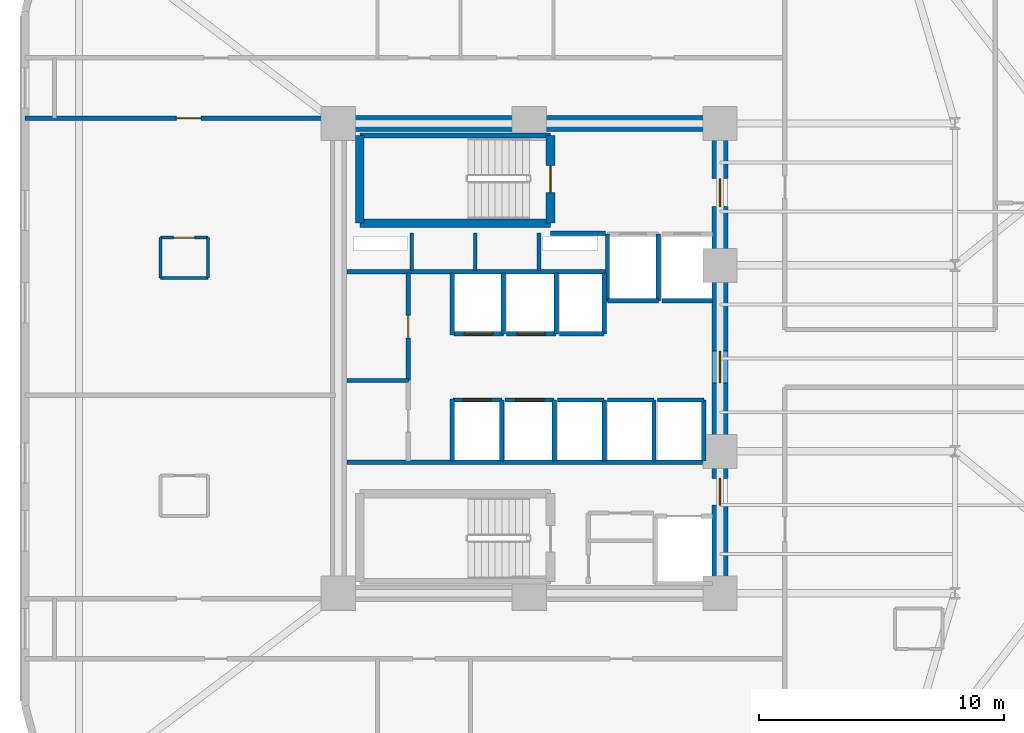
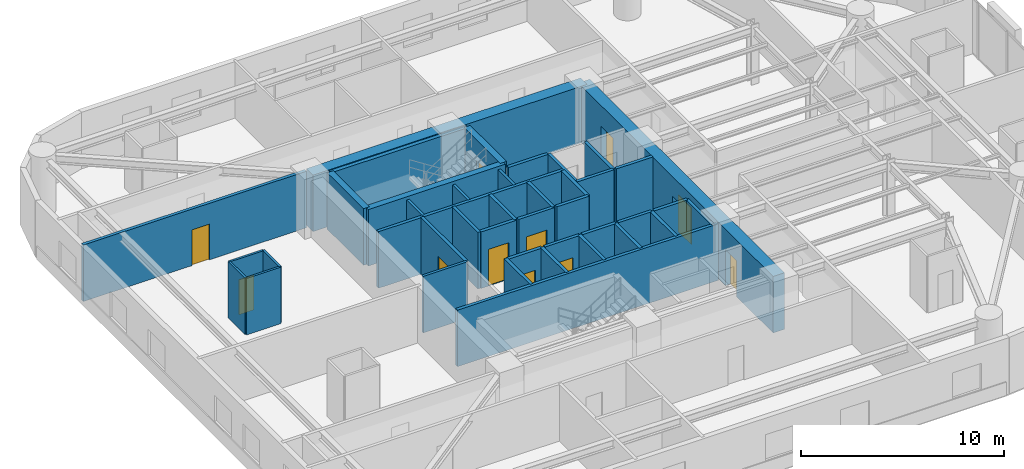
# One storey, part 11 of 16: 41 walls, 11 doors, 11 openings.
"""IFC4 building model written with IfcOpenShell, lengths in metres."""

from ifc_helpers import new_model, si_unit, direction, frame, frame_2d, origin, place, context, subcontext, project, spatial, rectangle, extrude, material, layer, layer_set, type_object, element, fill, save


model = new_model("IFC4")

# Units and contexts
model_context = context("Model", 3, precision=1e-05, world=origin(), true_north=direction((0.0, 1.0)))
body_context = subcontext(model_context, "Body", "Model", "MODEL_VIEW")
ifc_project = project(units=[si_unit("LENGTHUNIT", "METRE"), si_unit("AREAUNIT", "SQUARE_METRE"), si_unit("VOLUMEUNIT", "CUBIC_METRE"), si_unit("PLANEANGLEUNIT", "RADIAN"), si_unit("MASSUNIT", "GRAM", prefix="KILO")], contexts=[model_context])

# Site, building, storey
site_placement = place(None, origin())
site = spatial("IfcSite", under=ifc_project, at=site_placement, CompositionType="ELEMENT")
building_placement = place(site_placement, origin())
building = spatial("IfcBuilding", under=site, at=building_placement, Name="An Khanh Terracotta Commons", CompositionType="ELEMENT")
storey_placement = place(building_placement, frame((0.0, 0.0, 100.699951171875)))
storey = spatial("IfcBuildingStorey", under=building, at=storey_placement, Name="L26", CompositionType="ELEMENT", Elevation=100.699951171875)

# Wall
ifc_material_1 = material(Name="Concrete C60/75", Category="concrete")
ifc_layer_1 = layer(ifc_material_1, 0.64990234375, Name="Concrete C60/75")
ifc_layer_set_1 = layer_set([ifc_layer_1], Name="Concrete C60/75")
wall_type_1 = type_object("IfcWallType", Name="WALL-CORE-650", PredefinedType="SHEAR", material=ifc_layer_set_1)
wall_1_placement = place(storey_placement, frame((21.60009765625, 33.60009765625, 0.0), z_axis=(0.0, 0.0, 1.0), x_axis=(1.0, 0.0, 0.0)))
element("IfcWall", 1, at=wall_1_placement, inside=storey, type_object=wall_type_1, Name="L26 Core Wall CWALL-L26-N", PredefinedType="SHEAR", context=body_context, shape_type="SweptSolid", body=[
    extrude(rectangle(XDim=15.599853515625, YDim=0.64990234375, at=frame_2d((7.7998046875, 0.0))), origin(), (0.0, 0.0, 1.0), 3.400146484375),
])

# Wall, openings, doors
wall_2_placement = place(storey_placement, frame((37.199951171875, 14.39990234375, 0.0), z_axis=(0.0, 0.0, 1.0), x_axis=(0.0, 1.0, 0.0)))
wall_2 = element("IfcWall", 2, at=wall_2_placement, inside=storey, type_object=wall_type_1, Name="L26 Core Wall CWALL-L26-E", PredefinedType="SHEAR", context=body_context, shape_type="SweptSolid", body=[
    extrude(rectangle(XDim=19.2001953125, YDim=0.64990234375, at=frame_2d((9.60009765625, 0.0))), origin(), (0.0, 0.0, 1.0), 3.400146484375),
])
opening_1_placement = place(wall_2_placement, frame((15.800048828125, 0.0, 0.0)))
opening_1 = element("IfcOpeningElement", 3, at=opening_1_placement, cuts=wall_2, Name="Opening D-FFL", PredefinedType="OPENING", context=body_context, shape_type="SweptSolid", body=[
    extrude(rectangle(XDim=1.14990234375, YDim=2.14990234375, at=frame_2d((0.574951171875, 1.074951171875))), frame((0.0, 0.3349609375, 0.0), z_axis=(0.0, -1.0, 0.0), x_axis=(1.0, 0.0, 0.0)), (0.0, 0.0, 1.0), 0.669921875),
])
opening_2_placement = place(wall_2_placement, frame((3.60009765625, 0.0, 0.0)))
opening_2 = element("IfcOpeningElement", 4, at=opening_2_placement, cuts=wall_2, Name="Opening D-ST", PredefinedType="OPENING", context=body_context, shape_type="SweptSolid", body=[
    extrude(rectangle(XDim=1.10009765625, YDim=2.14990234375, at=frame_2d((0.550048828125, 1.074951171875))), frame((0.0, 0.3349609375, 0.0), z_axis=(0.0, -1.0, 0.0), x_axis=(1.0, 0.0, 0.0)), (0.0, 0.0, 1.0), 0.669921875),
])
opening_3_placement = place(wall_2_placement, frame((8.60009765625, 0.0, 0.0)))
opening_3 = element("IfcOpeningElement", 5, at=opening_3_placement, cuts=wall_2, Name="Opening D-COR", PredefinedType="OPENING", context=body_context, shape_type="SweptSolid", body=[
    extrude(rectangle(XDim=1.300048828125, YDim=2.199951171875, at=frame_2d((0.64990234375, 1.10009765625))), frame((0.0, 0.3349609375, 0.0), z_axis=(0.0, -1.0, 0.0), x_axis=(1.0, 0.0, 0.0)), (0.0, 0.0, 1.0), 0.669921875),
])
ifc_material_2 = material(Name="Fire-Rated Glazed Steel Double Door", Category="steel")
door_type_1 = type_object("IfcDoorType", Name="DOOR-CORR-1300", OperationType="NOTDEFINED", PredefinedType="DOOR", material=ifc_material_2)
door_1_placement = place(opening_3_placement, origin())
door_1 = element("IfcDoor", 6, at=door_1_placement, inside=storey, type_object=door_type_1, Name="L26 Passenger Lift Lobby Double Door", OperationType="DOUBLE_DOOR_SINGLE_SWING", OverallHeight=2.199951171875, OverallWidth=1.300048828125, PredefinedType="DOOR", context=body_context, shape_type="SweptSolid", body=[
    extrude(rectangle(XDim=1.300048828125, YDim=2.199951171875, at=frame_2d((0.64990234375, 1.10009765625))), frame((0.0, 0.02490234375, 0.0), z_axis=(0.0, -1.0, 0.0), x_axis=(1.0, 0.0, 0.0)), (0.0, 0.0, 1.0), 0.050048828125),
])
fill(opening_3, door_1)
ifc_material_3 = material(Name="Fire-Rated Steel Leaf and Vision Panel", Category="steel")
door_type_2 = type_object("IfcDoorType", Name="DOOR-FFL-1150", OperationType="NOTDEFINED", PredefinedType="DOOR", material=ifc_material_3)
door_2_placement = place(opening_1_placement, origin())
door_2 = element("IfcDoor", 7, at=door_2_placement, inside=storey, type_object=door_type_2, Name="L26 Firefighting Lift Lobby Fire Door", OperationType="SINGLE_SWING_RIGHT", OverallHeight=2.14990234375, OverallWidth=1.14990234375, PredefinedType="DOOR", context=body_context, shape_type="SweptSolid", body=[
    extrude(rectangle(XDim=1.14990234375, YDim=2.14990234375, at=frame_2d((0.574951171875, 1.074951171875))), frame((0.0, 0.02490234375, 0.0), z_axis=(0.0, -1.0, 0.0), x_axis=(1.0, 0.0, 0.0)), (0.0, 0.0, 1.0), 0.050048828125),
])
fill(opening_1, door_2)
ifc_material_4 = material(Name="Fire-Rated Steel Leaf and Frame", Category="steel")
door_type_3 = type_object("IfcDoorType", Name="DOOR-STAIR-1100", OperationType="NOTDEFINED", PredefinedType="DOOR", material=ifc_material_4)
door_3_placement = place(opening_2_placement, origin())
door_3 = element("IfcDoor", 8, at=door_3_placement, inside=storey, type_object=door_type_3, Name="L26 South Stair Lobby Fire Door", OperationType="SINGLE_SWING_LEFT", OverallHeight=2.14990234375, OverallWidth=1.10009765625, PredefinedType="DOOR", context=body_context, shape_type="SweptSolid", body=[
    extrude(rectangle(XDim=1.10009765625, YDim=2.14990234375, at=frame_2d((0.550048828125, 1.074951171875))), frame((0.0, 0.02490234375, 0.0), z_axis=(0.0, -1.0, 0.0), x_axis=(1.0, 0.0, 0.0)), (0.0, 0.0, 1.0), 0.050048828125),
])
fill(opening_2, door_3)

# Walls
ifc_material_5 = material(Name="Fire-Rated Gypsum Board on Steel Stud", Category="steel")
ifc_layer_2 = layer(ifc_material_5, 0.179931640625, Name="Fire-Rated Gypsum Board on Steel Stud")
ifc_layer_set_2 = layer_set([ifc_layer_2], Name="Fire-Rated Gypsum Board on Steel Stud")
wall_type_2 = type_object("IfcWallType", Name="WALL-CORR-180", PredefinedType="PARTITIONING", material=ifc_layer_set_2)
wall_3_placement = place(storey_placement, frame((30.27001953125, 29.1201171875, 0.0), z_axis=(0.0, 0.0, 1.0), x_axis=(1.0, 0.0, 0.0)))
element("IfcWall", 9, at=wall_3_placement, inside=storey, type_object=wall_type_2, Name="L26 Core Wall FFLW-L26-S", PredefinedType="PARTITIONING", context=body_context, shape_type="SweptSolid", body=[
    extrude(rectangle(XDim=2.239990234375, YDim=0.179931640625, at=frame_2d((1.1201171875, 0.0))), origin(), (0.0, 0.0, 1.0), 3.400146484375),
])
wall_4_placement = place(storey_placement, frame((21.949951171875, 27.5400390625, 0.0), z_axis=(0.0, 0.0, 1.0), x_axis=(1.0, 0.0, 0.0)))
element("IfcWall", 10, at=wall_4_placement, inside=storey, type_object=wall_type_2, Name="L26 Core Wall RSRW-L26-S", PredefinedType="PARTITIONING", context=body_context, shape_type="SweptSolid", body=[
    extrude(rectangle(XDim=10.56005859375, YDim=0.179931640625, at=frame_2d((5.280029296875, 0.0))), origin(), (0.0, 0.0, 1.0), 3.400146484375),
])
wall_5_placement = place(storey_placement, frame((21.949951171875, 19.760009765625, 0.0), z_axis=(0.0, 0.0, 1.0), x_axis=(1.0, 0.0, 0.0)))
element("IfcWall", 11, at=wall_5_placement, inside=storey, type_object=wall_type_2, Name="L26 Core Wall SVW-L26-N", PredefinedType="PARTITIONING", context=body_context, shape_type="SweptSolid", body=[
    extrude(rectangle(XDim=14.8701171875, YDim=0.179931640625, at=frame_2d((7.43505859375, 0.0))), origin(), (0.0, 0.0, 1.0), 3.400146484375),
])
wall_6_placement = place(storey_placement, frame((34.679931640625, 26.35009765625, 0.0), z_axis=(0.0, 0.0, 1.0), x_axis=(-1.0, 0.0, 0.0)))
element("IfcWall", 12, at=wall_6_placement, inside=storey, type_object=wall_type_2, Name="L26 Core Wall LSH-L26-FFL-01-S", PredefinedType="PARTITIONING", context=body_context, shape_type="SweptSolid", body=[
    extrude(rectangle(XDim=2.079833984375, YDim=0.179931640625, at=frame_2d((1.0400390625, 0.0))), origin(), (0.0, 0.0, 1.0), 3.400146484375),
])
for number, where, z_axis, x_axis, name in (
    (13, (34.679931640625, 26.35009765625, 0.0), (0.0, 0.0, 1.0), (0.0, 1.0, 0.0), "L26 Core Wall LSH-L26-FFL-01-E"),
    (14, (32.60009765625, 29.080078125, 0.0), (0.0, 0.0, 1.0), (0.0, -1.0, 0.0), "L26 Core Wall LSH-L26-FFL-01-W"),
):
    element("IfcWall", number, at=place(storey_placement, frame(where, z_axis=z_axis, x_axis=x_axis)), inside=storey, type_object=wall_type_2, Name=name, PredefinedType="PARTITIONING", context=body_context, shape_type="SweptSolid", body=[
        extrude(rectangle(XDim=2.72998046875, YDim=0.179931640625, at=frame_2d((1.364990234375, 0.0))), origin(), (0.0, 0.0, 1.0), 3.400146484375),
    ])
wall_7_placement = place(storey_placement, frame((36.89990234375, 26.35009765625, 0.0), z_axis=(0.0, 0.0, 1.0), x_axis=(-1.0, 0.0, 0.0)))
element("IfcWall", 15, at=wall_7_placement, inside=storey, type_object=wall_type_2, Name="L26 Core Wall LSH-L26-FFL-02-S", PredefinedType="PARTITIONING", context=body_context, shape_type="SweptSolid", body=[
    extrude(rectangle(XDim=2.079833984375, YDim=0.179931640625, at=frame_2d((1.0400390625, 0.0))), origin(), (0.0, 0.0, 1.0), 3.400146484375),
])

# Wall, opening, door
wall_8_placement = place(storey_placement, frame((28.340087890625, 25.0, 0.0), z_axis=(0.0, 0.0, 1.0), x_axis=(-1.0, 0.0, 0.0)))
wall_8 = element("IfcWall", 16, at=wall_8_placement, inside=storey, type_object=wall_type_2, Name="L26 Core Wall LSH-L26-PL-M1-S", PredefinedType="PARTITIONING", context=body_context, shape_type="SweptSolid", body=[
    extrude(rectangle(XDim=2.02001953125, YDim=0.179931640625, at=frame_2d((1.010009765625, 0.0))), origin(), (0.0, 0.0, 1.0), 3.400146484375),
])
opening_4_placement = place(wall_8_placement, frame((0.43505859375, 0.0, 0.0)))
opening_4 = element("IfcOpeningElement", 17, at=opening_4_placement, cuts=wall_8, Name="Opening LD-PL-M1-L26", PredefinedType="OPENING", context=body_context, shape_type="SweptSolid", body=[
    extrude(rectangle(XDim=1.14990234375, YDim=2.199951171875, at=frame_2d((0.574951171875, 1.10009765625))), frame((0.0, 0.099853515625, 0.0), z_axis=(0.0, -1.0, 0.0), x_axis=(1.0, 0.0, 0.0)), (0.0, 0.0, 1.0), 0.199951171875),
])
ifc_material_6 = material(Name="Brushed Stainless Steel Passenger Landing Door", Category="steel")
door_type_4 = type_object("IfcDoorType", Name="DOOR-LD-PAX-1150", OperationType="NOTDEFINED", PredefinedType="DOOR", material=ifc_material_6)
door_4_placement = place(opening_4_placement, origin())
door_4 = element("IfcDoor", 18, at=door_4_placement, inside=storey, type_object=door_type_4, Name="L26 Lift PL-M1 Sliding Landing Door", OperationType="DOUBLE_DOOR_SLIDING", OverallHeight=2.199951171875, OverallWidth=1.14990234375, PredefinedType="DOOR", context=body_context, shape_type="SweptSolid", body=[
    extrude(rectangle(XDim=1.14990234375, YDim=2.199951171875, at=frame_2d((0.574951171875, 1.10009765625))), frame((0.0, 0.02490234375, 0.0), z_axis=(0.0, -1.0, 0.0), x_axis=(1.0, 0.0, 0.0)), (0.0, 0.0, 1.0), 0.050048828125),
])
fill(opening_4, door_4)

# Wall
wall_9_placement = place(storey_placement, frame((28.340087890625, 25.0, 0.0), z_axis=(0.0, 0.0, 1.0), x_axis=(0.0, 1.0, 0.0)))
element("IfcWall", 19, at=wall_9_placement, inside=storey, type_object=wall_type_2, Name="L26 Core Wall LSH-L26-PL-M1-E", PredefinedType="PARTITIONING", context=body_context, shape_type="SweptSolid", body=[
    extrude(rectangle(XDim=2.5, YDim=0.179931640625, at=frame_2d((1.25, 0.0))), origin(), (0.0, 0.0, 1.0), 3.400146484375),
])

# Wall, opening, door
wall_10_placement = place(storey_placement, frame((30.5, 25.0, 0.0), z_axis=(0.0, 0.0, 1.0), x_axis=(-1.0, 0.0, 0.0)))
wall_10 = element("IfcWall", 20, at=wall_10_placement, inside=storey, type_object=wall_type_2, Name="L26 Core Wall LSH-L26-PL-M2-S", PredefinedType="PARTITIONING", context=body_context, shape_type="SweptSolid", body=[
    extrude(rectangle(XDim=2.02001953125, YDim=0.179931640625, at=frame_2d((1.010009765625, 0.0))), origin(), (0.0, 0.0, 1.0), 3.400146484375),
])
opening_5_placement = place(wall_10_placement, frame((0.43505859375, 0.0, 0.0)))
opening_5 = element("IfcOpeningElement", 21, at=opening_5_placement, cuts=wall_10, Name="Opening LD-PL-M2-L26", PredefinedType="OPENING", context=body_context, shape_type="SweptSolid", body=[
    extrude(rectangle(XDim=1.14990234375, YDim=2.199951171875, at=frame_2d((0.574951171875, 1.10009765625))), frame((0.0, 0.099853515625, 0.0), z_axis=(0.0, -1.0, 0.0), x_axis=(1.0, 0.0, 0.0)), (0.0, 0.0, 1.0), 0.199951171875),
])
door_5_placement = place(opening_5_placement, origin())
door_5 = element("IfcDoor", 22, at=door_5_placement, inside=storey, type_object=door_type_4, Name="L26 Lift PL-M2 Sliding Landing Door", OperationType="DOUBLE_DOOR_SLIDING", OverallHeight=2.199951171875, OverallWidth=1.14990234375, PredefinedType="DOOR", context=body_context, shape_type="SweptSolid", body=[
    extrude(rectangle(XDim=1.14990234375, YDim=2.199951171875, at=frame_2d((0.574951171875, 1.10009765625))), frame((0.0, 0.02490234375, 0.0), z_axis=(0.0, -1.0, 0.0), x_axis=(1.0, 0.0, 0.0)), (0.0, 0.0, 1.0), 0.050048828125),
])
fill(opening_5, door_5)

# Wall
wall_11_placement = place(storey_placement, frame((30.5, 25.0, 0.0), z_axis=(0.0, 0.0, 1.0), x_axis=(0.0, 1.0, 0.0)))
element("IfcWall", 23, at=wall_11_placement, inside=storey, type_object=wall_type_2, Name="L26 Core Wall LSH-L26-PL-M2-E", PredefinedType="PARTITIONING", context=body_context, shape_type="SweptSolid", body=[
    extrude(rectangle(XDim=2.5, YDim=0.179931640625, at=frame_2d((1.25, 0.0))), origin(), (0.0, 0.0, 1.0), 3.400146484375),
])

# Wall, opening, door
wall_12_placement = place(storey_placement, frame((26.280029296875, 22.300048828125, 0.0), z_axis=(0.0, 0.0, 1.0), x_axis=(1.0, 0.0, 0.0)))
wall_12 = element("IfcWall", 24, at=wall_12_placement, inside=storey, type_object=wall_type_2, Name="L26 Core Wall LSH-L26-PL-M3-N", PredefinedType="PARTITIONING", context=body_context, shape_type="SweptSolid", body=[
    extrude(rectangle(XDim=2.0, YDim=0.179931640625, at=frame_2d((1.0, 0.0))), origin(), (0.0, 0.0, 1.0), 3.400146484375),
])
opening_6_placement = place(wall_12_placement, frame((0.425048828125, 0.0, 0.0)))
opening_6 = element("IfcOpeningElement", 25, at=opening_6_placement, cuts=wall_12, Name="Opening LD-PL-M3-L26", PredefinedType="OPENING", context=body_context, shape_type="SweptSolid", body=[
    extrude(rectangle(XDim=1.14990234375, YDim=2.199951171875, at=frame_2d((0.574951171875, 1.10009765625))), frame((0.0, 0.099853515625, 0.0), z_axis=(0.0, -1.0, 0.0), x_axis=(1.0, 0.0, 0.0)), (0.0, 0.0, 1.0), 0.199951171875),
])
door_6_placement = place(opening_6_placement, origin())
door_6 = element("IfcDoor", 26, at=door_6_placement, inside=storey, type_object=door_type_4, Name="L26 Lift PL-M3 Sliding Landing Door", OperationType="DOUBLE_DOOR_SLIDING", OverallHeight=2.199951171875, OverallWidth=1.14990234375, PredefinedType="DOOR", context=body_context, shape_type="SweptSolid", body=[
    extrude(rectangle(XDim=1.14990234375, YDim=2.199951171875, at=frame_2d((0.574951171875, 1.10009765625))), frame((0.0, 0.02490234375, 0.0), z_axis=(0.0, -1.0, 0.0), x_axis=(1.0, 0.0, 0.0)), (0.0, 0.0, 1.0), 0.050048828125),
])
fill(opening_6, door_6)

# Wall
wall_13_placement = place(storey_placement, frame((28.280029296875, 19.800048828125, 0.0), z_axis=(0.0, 0.0, 1.0), x_axis=(0.0, 1.0, 0.0)))
element("IfcWall", 27, at=wall_13_placement, inside=storey, type_object=wall_type_2, Name="L26 Core Wall LSH-L26-PL-M3-E", PredefinedType="PARTITIONING", context=body_context, shape_type="SweptSolid", body=[
    extrude(rectangle(XDim=2.5, YDim=0.179931640625, at=frame_2d((1.25, 0.0))), origin(), (0.0, 0.0, 1.0), 3.400146484375),
])

# Wall, opening, door
wall_14_placement = place(storey_placement, frame((28.419921875, 22.300048828125, 0.0), z_axis=(0.0, 0.0, 1.0), x_axis=(1.0, 0.0, 0.0)))
wall_14 = element("IfcWall", 28, at=wall_14_placement, inside=storey, type_object=wall_type_2, Name="L26 Core Wall LSH-L26-PL-M4-N", PredefinedType="PARTITIONING", context=body_context, shape_type="SweptSolid", body=[
    extrude(rectangle(XDim=2.0, YDim=0.179931640625, at=frame_2d((1.0, 0.0))), origin(), (0.0, 0.0, 1.0), 3.400146484375),
])
opening_7_placement = place(wall_14_placement, frame((0.425048828125, 0.0, 0.0)))
opening_7 = element("IfcOpeningElement", 29, at=opening_7_placement, cuts=wall_14, Name="Opening LD-PL-M4-L26", PredefinedType="OPENING", context=body_context, shape_type="SweptSolid", body=[
    extrude(rectangle(XDim=1.14990234375, YDim=2.199951171875, at=frame_2d((0.574951171875, 1.10009765625))), frame((0.0, 0.099853515625, 0.0), z_axis=(0.0, -1.0, 0.0), x_axis=(1.0, 0.0, 0.0)), (0.0, 0.0, 1.0), 0.199951171875),
])
door_7_placement = place(opening_7_placement, origin())
door_7 = element("IfcDoor", 30, at=door_7_placement, inside=storey, type_object=door_type_4, Name="L26 Lift PL-M4 Sliding Landing Door", OperationType="DOUBLE_DOOR_SLIDING", OverallHeight=2.199951171875, OverallWidth=1.14990234375, PredefinedType="DOOR", context=body_context, shape_type="SweptSolid", body=[
    extrude(rectangle(XDim=1.14990234375, YDim=2.199951171875, at=frame_2d((0.574951171875, 1.10009765625))), frame((0.0, 0.02490234375, 0.0), z_axis=(0.0, -1.0, 0.0), x_axis=(1.0, 0.0, 0.0)), (0.0, 0.0, 1.0), 0.050048828125),
])
fill(opening_7, door_7)

# Walls
wall_15_placement = place(storey_placement, frame((30.419921875, 19.800048828125, 0.0), z_axis=(0.0, 0.0, 1.0), x_axis=(0.0, 1.0, 0.0)))
element("IfcWall", 31, at=wall_15_placement, inside=storey, type_object=wall_type_2, Name="L26 Core Wall LSH-L26-PL-M4-E", PredefinedType="PARTITIONING", context=body_context, shape_type="SweptSolid", body=[
    extrude(rectangle(XDim=2.5, YDim=0.179931640625, at=frame_2d((1.25, 0.0))), origin(), (0.0, 0.0, 1.0), 3.400146484375),
])
wall_16_placement = place(storey_placement, frame((32.4599609375, 25.0, 0.0), z_axis=(0.0, 0.0, 1.0), x_axis=(-1.0, 0.0, 0.0)))
element("IfcWall", 32, at=wall_16_placement, inside=storey, type_object=wall_type_2, Name="L26 Core Wall LSH-L26-PL-H1-S", PredefinedType="PARTITIONING", context=body_context, shape_type="SweptSolid", body=[
    extrude(rectangle(XDim=1.820068359375, YDim=0.179931640625, at=frame_2d((0.91015625, 0.0))), origin(), (0.0, 0.0, 1.0), 3.400146484375),
])
wall_17_placement = place(storey_placement, frame((32.4599609375, 25.0, 0.0), z_axis=(0.0, 0.0, 1.0), x_axis=(0.0, 1.0, 0.0)))
element("IfcWall", 33, at=wall_17_placement, inside=storey, type_object=wall_type_2, Name="L26 Core Wall LSH-L26-PL-H1-E", PredefinedType="PARTITIONING", context=body_context, shape_type="SweptSolid", body=[
    extrude(rectangle(XDim=2.5, YDim=0.179931640625, at=frame_2d((1.25, 0.0))), origin(), (0.0, 0.0, 1.0), 3.400146484375),
])
wall_18_placement = place(storey_placement, frame((30.56005859375, 22.300048828125, 0.0), z_axis=(0.0, 0.0, 1.0), x_axis=(1.0, 0.0, 0.0)))
element("IfcWall", 34, at=wall_18_placement, inside=storey, type_object=wall_type_2, Name="L26 Core Wall LSH-L26-PL-H2-N", PredefinedType="PARTITIONING", context=body_context, shape_type="SweptSolid", body=[
    extrude(rectangle(XDim=1.89990234375, YDim=0.179931640625, at=frame_2d((0.949951171875, 0.0))), origin(), (0.0, 0.0, 1.0), 3.400146484375),
])
wall_19_placement = place(storey_placement, frame((32.4599609375, 19.800048828125, 0.0), z_axis=(0.0, 0.0, 1.0), x_axis=(0.0, 1.0, 0.0)))
element("IfcWall", 35, at=wall_19_placement, inside=storey, type_object=wall_type_2, Name="L26 Core Wall LSH-L26-PL-H2-E", PredefinedType="PARTITIONING", context=body_context, shape_type="SweptSolid", body=[
    extrude(rectangle(XDim=2.5, YDim=0.179931640625, at=frame_2d((1.25, 0.0))), origin(), (0.0, 0.0, 1.0), 3.400146484375),
])
wall_20_placement = place(storey_placement, frame((32.60009765625, 22.300048828125, 0.0), z_axis=(0.0, 0.0, 1.0), x_axis=(1.0, 0.0, 0.0)))
element("IfcWall", 36, at=wall_20_placement, inside=storey, type_object=wall_type_2, Name="L26 Core Wall LSH-L26-PL-H3-N", PredefinedType="PARTITIONING", context=body_context, shape_type="SweptSolid", body=[
    extrude(rectangle(XDim=1.89990234375, YDim=0.179931640625, at=frame_2d((0.949951171875, 0.0))), origin(), (0.0, 0.0, 1.0), 3.400146484375),
])
wall_21_placement = place(storey_placement, frame((34.5, 19.800048828125, 0.0), z_axis=(0.0, 0.0, 1.0), x_axis=(0.0, 1.0, 0.0)))
element("IfcWall", 37, at=wall_21_placement, inside=storey, type_object=wall_type_2, Name="L26 Core Wall LSH-L26-PL-H3-E", PredefinedType="PARTITIONING", context=body_context, shape_type="SweptSolid", body=[
    extrude(rectangle(XDim=2.5, YDim=0.179931640625, at=frame_2d((1.25, 0.0))), origin(), (0.0, 0.0, 1.0), 3.400146484375),
])
wall_22_placement = place(storey_placement, frame((34.639892578125, 22.300048828125, 0.0), z_axis=(0.0, 0.0, 1.0), x_axis=(1.0, 0.0, 0.0)))
element("IfcWall", 38, at=wall_22_placement, inside=storey, type_object=wall_type_2, Name="L26 Core Wall LSH-L26-PL-H4-N", PredefinedType="PARTITIONING", context=body_context, shape_type="SweptSolid", body=[
    extrude(rectangle(XDim=1.900146484375, YDim=0.179931640625, at=frame_2d((0.9501953125, 0.0))), origin(), (0.0, 0.0, 1.0), 3.400146484375),
])
wall_23_placement = place(storey_placement, frame((36.5400390625, 19.800048828125, 0.0), z_axis=(0.0, 0.0, 1.0), x_axis=(0.0, 1.0, 0.0)))
element("IfcWall", 39, at=wall_23_placement, inside=storey, type_object=wall_type_2, Name="L26 Core Wall LSH-L26-PL-H4-E", PredefinedType="PARTITIONING", context=body_context, shape_type="SweptSolid", body=[
    extrude(rectangle(XDim=2.5, YDim=0.179931640625, at=frame_2d((1.25, 0.0))), origin(), (0.0, 0.0, 1.0), 3.400146484375),
])

# Wall, opening, door
wall_24_placement = place(storey_placement, frame((24.4599609375, 23.10009765625, 0.0), z_axis=(0.0, 0.0, 1.0), x_axis=(0.0, 1.0, 0.0)))
wall_24 = element("IfcWall", 40, at=wall_24_placement, inside=storey, type_object=wall_type_2, Name="L26 Core Wall RECW-L26-E1", PredefinedType="PARTITIONING", context=body_context, shape_type="SweptSolid", body=[
    extrude(rectangle(XDim=4.39990234375, YDim=0.179931640625, at=frame_2d((2.199951171875, 0.0))), origin(), (0.0, 0.0, 1.0), 3.400146484375),
])
opening_8_placement = place(wall_24_placement, frame((1.739990234375, 0.0, 0.0)))
opening_8 = element("IfcOpeningElement", 41, at=opening_8_placement, cuts=wall_24, Name="Opening D-RM", PredefinedType="OPENING", context=body_context, shape_type="SweptSolid", body=[
    extrude(rectangle(XDim=0.919921875, YDim=2.10009765625, at=frame_2d((0.4599609375, 1.050048828125))), frame((0.0, 0.099853515625, 0.0), z_axis=(0.0, -1.0, 0.0), x_axis=(1.0, 0.0, 0.0)), (0.0, 0.0, 1.0), 0.199951171875),
])
ifc_material_7 = material(Name="Engineered Hardwood Timber Leaf", Category="wood")
door_type_5 = type_object("IfcDoorType", Name="DOOR-INT-920", OperationType="NOTDEFINED", PredefinedType="DOOR", material=ifc_material_7)
door_8_placement = place(opening_8_placement, origin())
door_8 = element("IfcDoor", 42, at=door_8_placement, inside=storey, type_object=door_type_5, Name="L26 Housekeeping Linen Room Door", OperationType="SINGLE_SWING_RIGHT", OverallHeight=2.10009765625, OverallWidth=0.919921875, PredefinedType="DOOR", context=body_context, shape_type="SweptSolid", body=[
    extrude(rectangle(XDim=0.919921875, YDim=2.10009765625, at=frame_2d((0.4599609375, 1.050048828125))), frame((0.0, 0.02490234375, 0.0), z_axis=(0.0, -1.0, 0.0), x_axis=(1.0, 0.0, 0.0)), (0.0, 0.0, 1.0), 0.050048828125),
])
fill(opening_8, door_8)

# Walls
for number, where, z_axis, x_axis, name in (
    (43, (26.25, 24.949951171875, 0.0), (0.0, 0.0, 1.0), (0.0, 1.0, 0.0), "L26 Core Wall RECW-L26-BE1"),
    (44, (26.25, 19.800048828125, 0.0), (0.0, 0.0, 1.0), (0.0, 1.0, 0.0), "L26 Core Wall RECW-L26-BE2"),
):
    element("IfcWall", number, at=place(storey_placement, frame(where, z_axis=z_axis, x_axis=x_axis)), inside=storey, type_object=wall_type_2, Name=name, PredefinedType="PARTITIONING", context=body_context, shape_type="SweptSolid", body=[
        extrude(rectangle(XDim=2.550048828125, YDim=0.179931640625, at=frame_2d((1.27490234375, 0.0))), origin(), (0.0, 0.0, 1.0), 3.400146484375),
    ])

# Wall, opening, door
wall_25_placement = place(storey_placement, frame((8.800048828125, 33.820068359375, 0.0), z_axis=(0.0, 0.0, 1.0), x_axis=(1.0, 0.0, 0.0)))
wall_25 = element("IfcWall", 45, at=wall_25_placement, inside=storey, type_object=wall_type_2, Name="L26 Interior Partition IW-L26-E009", PredefinedType="PARTITIONING", context=body_context, shape_type="SweptSolid", body=[
    extrude(rectangle(XDim=12.679931640625, YDim=0.179931640625, at=frame_2d((6.33984375, 0.0))), origin(), (0.0, 0.0, 1.0), 3.400146484375),
])
opening_9_placement = place(wall_25_placement, frame((6.179931640625, 0.0, 0.0)))
opening_9 = element("IfcOpeningElement", 46, at=opening_9_placement, cuts=wall_25, Name="Opening D-UN", PredefinedType="OPENING", context=body_context, shape_type="SweptSolid", body=[
    extrude(rectangle(XDim=1.0, YDim=2.14990234375, at=frame_2d((0.5, 1.074951171875))), frame((0.0, 0.099853515625, 0.0), z_axis=(0.0, -1.0, 0.0), x_axis=(1.0, 0.0, 0.0)), (0.0, 0.0, 1.0), 0.199951171875),
])
ifc_material_8 = material(Name="Solid-Core Hardwood Acoustic Fire Door", Category="wood")
door_type_6 = type_object("IfcDoorType", Name="DOOR-UNIT-1000", OperationType="NOTDEFINED", PredefinedType="DOOR", material=ifc_material_8)
door_9_placement = place(opening_9_placement, origin())
door_9 = element("IfcDoor", 47, at=door_9_placement, inside=storey, type_object=door_type_6, Name="L26 WW2 Kitchenette and Studio Apartment Door", OperationType="SINGLE_SWING_LEFT", OverallHeight=2.14990234375, OverallWidth=1.0, PredefinedType="DOOR", context=body_context, shape_type="SweptSolid", body=[
    extrude(rectangle(XDim=1.0, YDim=2.14990234375, at=frame_2d((0.5, 1.074951171875))), frame((0.0, 0.02490234375, 0.0), z_axis=(0.0, -1.0, 0.0), x_axis=(1.0, 0.0, 0.0)), (0.0, 0.0, 1.0), 0.050048828125),
])
fill(opening_9, door_9)

# Walls
ifc_material_9 = material(Name="Acoustic Gypsum Board Partition")
ifc_layer_3 = layer(ifc_material_9, 0.14990234375, Name="Acoustic Gypsum Board Partition")
ifc_layer_set_3 = layer_set([ifc_layer_3], Name="Acoustic Gypsum Board Partition")
wall_type_3 = type_object("IfcWallType", Name="WALL-PART-150", PredefinedType="PARTITIONING", material=ifc_layer_set_3)
for number, where, z_axis, x_axis, name in (
    (48, (24.60009765625, 27.60009765625, 0.0), (0.0, 0.0, 1.0), (0.0, 1.0, 0.0), "L26 Core Wall RSRW-L26-D1"),
    (49, (27.199951171875, 27.60009765625, 0.0), (0.0, 0.0, 1.0), (0.0, 1.0, 0.0), "L26 Core Wall RSRW-L26-D2"),
    (50, (29.800048828125, 27.60009765625, 0.0), (0.0, 0.0, 1.0), (0.0, 1.0, 0.0), "L26 Core Wall RSRW-L26-D3"),
):
    element("IfcWall", number, at=place(storey_placement, frame(where, z_axis=z_axis, x_axis=x_axis)), inside=storey, type_object=wall_type_3, Name=name, PredefinedType="PARTITIONING", context=body_context, shape_type="SweptSolid", body=[
        extrude(rectangle(XDim=1.52001953125, YDim=0.14990234375, at=frame_2d((0.760009765625, 0.0))), origin(), (0.0, 0.0, 1.0), 3.400146484375),
    ])
wall_26_placement = place(storey_placement, frame((21.949951171875, 23.10009765625, 0.0), z_axis=(0.0, 0.0, 1.0), x_axis=(1.0, 0.0, 0.0)))
element("IfcWall", 51, at=wall_26_placement, inside=storey, type_object=wall_type_3, Name="L26 Core Wall RECW-L26-M", PredefinedType="PARTITIONING", context=body_context, shape_type="SweptSolid", body=[
    extrude(rectangle(XDim=2.510009765625, YDim=0.14990234375, at=frame_2d((1.2548828125, 0.0))), origin(), (0.0, 0.0, 1.0), 3.400146484375),
])
ifc_material_10 = material(Name="Acoustic Double-Stud Gypsum and Mineral Wool")
ifc_layer_4 = layer(ifc_material_10, 0.219970703125, Name="Acoustic Double-Stud Gypsum and Mineral Wool")
ifc_layer_set_4 = layer_set([ifc_layer_4], Name="Acoustic Double-Stud Gypsum and Mineral Wool")
wall_type_4 = type_object("IfcWallType", Name="WALL-PARTY-220", PredefinedType="PARTITIONING", material=ifc_layer_set_4)
wall_27_placement = place(storey_placement, frame((22.47998046875, 33.110107421875, 0.0), z_axis=(0.0, 0.0, 1.0), x_axis=(1.0, 0.0, 0.0)))
element("IfcWall", 52, at=wall_27_placement, inside=storey, type_object=wall_type_4, Name="L26 Core Wall STW-L26-N-N", PredefinedType="PARTITIONING", context=body_context, shape_type="SweptSolid", body=[
    extrude(rectangle(XDim=7.7900390625, YDim=0.219970703125, at=frame_2d((3.89501953125, 0.0))), origin(), (0.0, 0.0, 1.0), 3.400146484375),
])
ifc_material_11 = material(Name="Concrete C50/60", Category="concrete")
ifc_layer_5 = layer(ifc_material_11, 0.35009765625, Name="Concrete C50/60")
ifc_layer_set_5 = layer_set([ifc_layer_5], Name="Concrete C50/60")
wall_type_5 = type_object("IfcWallType", Name="WALL-SHAFT-350", PredefinedType="SOLIDWALL", material=ifc_layer_set_5)
wall_28_placement = place(storey_placement, frame((22.47998046875, 29.530029296875, 0.0), z_axis=(0.0, 0.0, 1.0), x_axis=(1.0, 0.0, 0.0)))
element("IfcWall", 53, at=wall_28_placement, inside=storey, type_object=wall_type_5, Name="L26 Core Wall STW-L26-N-S", PredefinedType="SOLIDWALL", context=body_context, shape_type="SweptSolid", body=[
    extrude(rectangle(XDim=7.7900390625, YDim=0.35009765625, at=frame_2d((3.89501953125, 0.0))), origin(), (0.0, 0.0, 1.0), 3.400146484375),
])
wall_29_placement = place(storey_placement, frame((22.47998046875, 29.530029296875, 0.0), z_axis=(0.0, 0.0, 1.0), x_axis=(0.0, 1.0, 0.0)))
element("IfcWall", 54, at=wall_29_placement, inside=storey, type_object=wall_type_5, Name="L26 Core Wall STW-L26-N-W", PredefinedType="SOLIDWALL", context=body_context, shape_type="SweptSolid", body=[
    extrude(rectangle(XDim=3.580078125, YDim=0.35009765625, at=frame_2d((1.7900390625, 0.0))), origin(), (0.0, 0.0, 1.0), 3.400146484375),
])

# Wall, opening, door
wall_30_placement = place(storey_placement, frame((30.27001953125, 29.530029296875, 0.0), z_axis=(0.0, 0.0, 1.0), x_axis=(0.0, 1.0, 0.0)))
wall_30 = element("IfcWall", 55, at=wall_30_placement, inside=storey, type_object=wall_type_5, Name="L26 Core Wall STW-L26-N-E", PredefinedType="SOLIDWALL", context=body_context, shape_type="SweptSolid", body=[
    extrude(rectangle(XDim=3.580078125, YDim=0.35009765625, at=frame_2d((1.7900390625, 0.0))), origin(), (0.0, 0.0, 1.0), 3.400146484375),
])
opening_10_placement = place(wall_30_placement, frame((1.25, 0.0, 0.0)))
opening_10 = element("IfcOpeningElement", 56, at=opening_10_placement, cuts=wall_30, Name="Opening D-ST", PredefinedType="OPENING", context=body_context, shape_type="SweptSolid", body=[
    extrude(rectangle(XDim=1.10009765625, YDim=2.14990234375, at=frame_2d((0.550048828125, 1.074951171875))), frame((0.0, 0.18505859375, 0.0), z_axis=(0.0, -1.0, 0.0), x_axis=(1.0, 0.0, 0.0)), (0.0, 0.0, 1.0), 0.3701171875),
])
door_10_placement = place(opening_10_placement, origin())
door_10 = element("IfcDoor", 57, at=door_10_placement, inside=storey, type_object=door_type_3, Name="L26 Stair ST-01 Fire Door", OperationType="SINGLE_SWING_RIGHT", OverallHeight=2.14990234375, OverallWidth=1.10009765625, PredefinedType="DOOR", context=body_context, shape_type="SweptSolid", body=[
    extrude(rectangle(XDim=1.10009765625, YDim=2.14990234375, at=frame_2d((0.550048828125, 1.074951171875))), frame((0.0, 0.02490234375, 0.0), z_axis=(0.0, -1.0, 0.0), x_axis=(1.0, 0.0, 0.0)), (0.0, 0.0, 1.0), 0.050048828125),
])
fill(opening_10, door_10)

ifc_material_12 = material(Name="Moisture-Resistant Cement Board Partition")
ifc_layer_6 = layer(ifc_material_12, 0.1201171875, Name="Moisture-Resistant Cement Board Partition")
ifc_layer_set_6 = layer_set([ifc_layer_6], Name="Moisture-Resistant Cement Board Partition")
wall_type_6 = type_object("IfcWallType", Name="WALL-WET-120", PredefinedType="PARTITIONING", material=ifc_layer_set_6)
wall_31_placement = place(storey_placement, frame((14.324951171875, 28.93505859375, 0.0), z_axis=(0.0, 0.0, 1.0), x_axis=(1.0, 0.0, 0.0)))
wall_31 = element("IfcWall", 58, at=wall_31_placement, inside=storey, type_object=wall_type_6, Name="L26 Interior Partition IW-L26-WW2-BN", PredefinedType="PARTITIONING", context=body_context, shape_type="SweptSolid", body=[
    extrude(rectangle(XDim=1.949951171875, YDim=0.1201171875, at=frame_2d((0.97509765625, 0.0))), origin(), (0.0, 0.0, 1.0), 3.400146484375),
])
opening_11_placement = place(wall_31_placement, frame((0.544921875, 0.0, 0.0)))
opening_11 = element("IfcOpeningElement", 59, at=opening_11_placement, cuts=wall_31, Name="Opening D-ENS", PredefinedType="OPENING", context=body_context, shape_type="SweptSolid", body=[
    extrude(rectangle(XDim=0.860107421875, YDim=2.10009765625, at=frame_2d((0.43017578125, 1.050048828125))), frame((0.0, 0.070068359375, 0.0), z_axis=(0.0, -1.0, 0.0), x_axis=(1.0, 0.0, 0.0)), (0.0, 0.0, 1.0), 0.14013671875),
])
ifc_material_13 = material(Name="Moisture-Resistant Hardwood Timber Leaf", Category="wood")
door_type_7 = type_object("IfcDoorType", Name="DOOR-BATH-860", OperationType="NOTDEFINED", PredefinedType="DOOR", material=ifc_material_13)
door_11_placement = place(opening_11_placement, origin())
door_11 = element("IfcDoor", 60, at=door_11_placement, inside=storey, type_object=door_type_7, Name="L26 Studio WW2 En-suite Door", OperationType="SINGLE_SWING_LEFT", OverallHeight=2.10009765625, OverallWidth=0.860107421875, PredefinedType="DOOR", context=body_context, shape_type="SweptSolid", body=[
    extrude(rectangle(XDim=0.860107421875, YDim=2.10009765625, at=frame_2d((0.43017578125, 1.050048828125))), frame((0.0, 0.02490234375, 0.0), z_axis=(0.0, -1.0, 0.0), x_axis=(1.0, 0.0, 0.0)), (0.0, 0.0, 1.0), 0.050048828125),
])
fill(opening_11, door_11)

# Walls
wall_32_placement = place(storey_placement, frame((16.27490234375, 27.284912109375, 0.0), z_axis=(0.0, 0.0, 1.0), x_axis=(-1.0, 0.0, 0.0)))
element("IfcWall", 61, at=wall_32_placement, inside=storey, type_object=wall_type_6, Name="L26 Interior Partition IW-L26-WW2-BS", PredefinedType="PARTITIONING", context=body_context, shape_type="SweptSolid", body=[
    extrude(rectangle(XDim=1.949951171875, YDim=0.1201171875, at=frame_2d((0.97509765625, 0.0))), origin(), (0.0, 0.0, 1.0), 3.400146484375),
])
for number, where, z_axis, x_axis, name in (
    (62, (14.324951171875, 28.93505859375, 0.0), (0.0, 0.0, 1.0), (0.0, -1.0, 0.0), "L26 Interior Partition IW-L26-WW2-BW"),
    (63, (16.27490234375, 27.284912109375, 0.0), (0.0, 0.0, 1.0), (0.0, 1.0, 0.0), "L26 Interior Partition IW-L26-WW2-BE"),
):
    element("IfcWall", number, at=place(storey_placement, frame(where, z_axis=z_axis, x_axis=x_axis)), inside=storey, type_object=wall_type_6, Name=name, PredefinedType="PARTITIONING", context=body_context, shape_type="SweptSolid", body=[
        extrude(rectangle(XDim=1.650146484375, YDim=0.1201171875, at=frame_2d((0.8251953125, 0.0))), origin(), (0.0, 0.0, 1.0), 3.400146484375),
    ])

save(model, "model.ifc")
